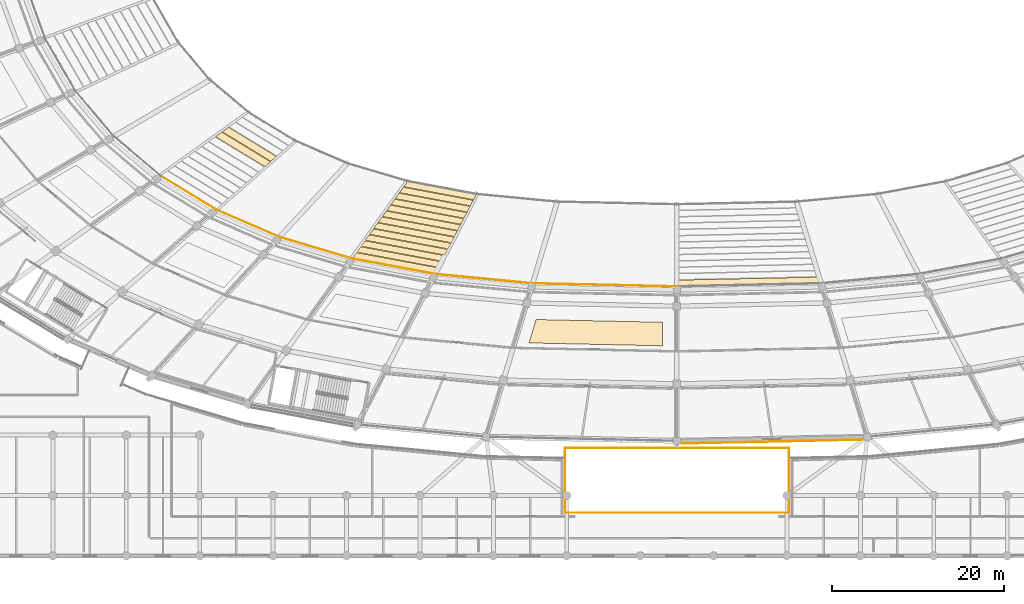
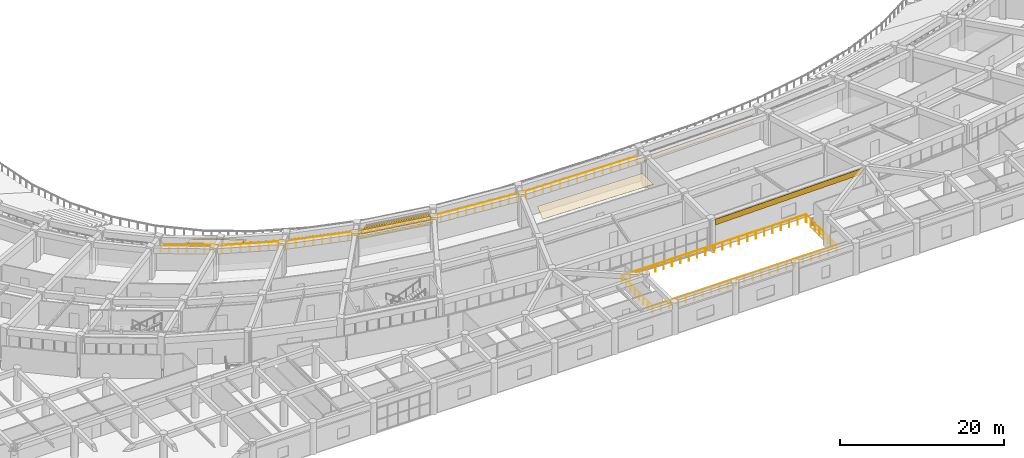
# One storey, part 126 of 152: 18 coverings, 3 railings.
"""IFC4 building model written with IfcOpenShell, lengths in metres."""

from ifc_helpers import new_model, si_unit, direction, frame, origin, origin_2d, place, context, subcontext, project, spatial, polyline, rectangle, circle, outline, extrude, material, layer, layer_set, type_object, element, save


model = new_model("IFC4")

# Units and contexts
model_context = context("Model", 3, precision=1e-05, world=origin(), true_north=direction((0.0, 1.0)))
body_context = subcontext(model_context, "Body", "Model", "MODEL_VIEW")
ifc_project = project(units=[si_unit("LENGTHUNIT", "METRE"), si_unit("AREAUNIT", "SQUARE_METRE"), si_unit("VOLUMEUNIT", "CUBIC_METRE"), si_unit("PLANEANGLEUNIT", "RADIAN"), si_unit("MASSUNIT", "GRAM", prefix="KILO")], contexts=[model_context])

# Site, building, storey
site_placement = place(None, origin())
site = spatial("IfcSite", under=ifc_project, at=site_placement, CompositionType="ELEMENT")
building_placement = place(site_placement, origin())
building = spatial("IfcBuilding", under=site, at=building_placement, Name="Mphavela Belvedere Stadium", CompositionType="ELEMENT")
storey_placement = place(building_placement, frame((0.0, 0.0, 5.39990234375)))
storey = spatial("IfcBuildingStorey", under=building, at=storey_placement, Name="L01", CompositionType="ELEMENT", Elevation=5.39990234375)

# Coverings
ifc_material_1 = material(Name="Perforated acoustic mineral ceiling tile")
ifc_layer_1 = layer(ifc_material_1, 0.0400390625)
ifc_layer_set_1 = layer_set([ifc_layer_1], Name="Perforated acoustic mineral ceiling tile")
covering_type_1 = type_object("IfcCoveringType", Name="COV-CEILING-ACOUSTIC", PredefinedType="CEILING", material=ifc_layer_set_1)
covering_1_placement = place(storey_placement, frame((0.0, 0.0, 3.5)))
element("IfcCovering", 1, at=covering_1_placement, inside=storey, type_object=covering_type_1, Name="Concourse acoustic ceiling L01-36", PredefinedType="CEILING", context=body_context, shape_type="SweptSolid", body=[
    extrude(outline(polyline([(98.665771484375, 27.42041015625), (113.343994140625, 27.1044921875), (113.343994140625, 24.368896484375), (97.844482421875, 24.70263671875), (98.665771484375, 27.42041015625)])), origin(), (0.0, 0.0, 1.0), 0.0400390625),
])
ifc_material_2 = material(Name="Carved classical limestone entablature frieze cladding", Category="masonry")
ifc_layer_2 = layer(ifc_material_2, 0.06005859375)
ifc_layer_set_2 = layer_set([ifc_layer_2], Name="Carved classical limestone entablature frieze cladding")
covering_type_2 = type_object("IfcCoveringType", Name="COV-FRIEZE-CLAD", PredefinedType="CLADDING", material=ifc_layer_set_2)
covering_2_placement = place(storey_placement, frame((126.064208984375, 13.248291015625, 3.594970703125), z_axis=(0.0, 0.0, 1.0), x_axis=(0.999769581002, 0.02146590093, 0.0)))
element("IfcCovering", 2, at=covering_2_placement, inside=storey, type_object=covering_type_2, Name="Classical entablature frieze cladding L01-37", PredefinedType="CLADDING", context=body_context, shape_type="SweptSolid", body=[
    extrude(rectangle(XDim=21.173583984375, YDim=0.06005859375, at=origin_2d()), origin(), (0.0, 0.0, 1.0), 0.85009765625),
])
ifc_material_3 = material(Name="Precast seating row terrazzo finish", Category="concrete")
ifc_layer_3 = layer(ifc_material_3, 0.1201171875)
ifc_layer_set_3 = layer_set([ifc_layer_3], Name="Precast seating row terrazzo finish")
covering_type_3 = type_object("IfcCoveringType", Name="COV-SEAT-ROW-L", PredefinedType="FLOORING", material=ifc_layer_set_3)
covering_3_placement = place(storey_placement, frame((0.0, 0.0, -2.373779296875)))
element("IfcCovering", 3, at=covering_3_placement, inside=storey, type_object=covering_type_3, Name="Lower stand seating row bench B31-R04", PredefinedType="FLOORING", context=body_context, shape_type="SweptSolid", body=[
    extrude(outline(polyline([(62.980224609375, 49.72802734375), (68.53955078125, 46.345947265625), (67.892822265625, 45.780029296875), (62.256103515625, 49.209228515625), (62.980224609375, 49.72802734375)])), origin(), (0.0, 0.0, 1.0), 0.1201171875),
])
covering_4_placement = place(storey_placement, frame((0.0, 0.0, -1.912109375)))
element("IfcCovering", 4, at=covering_4_placement, inside=storey, type_object=covering_type_3, Name="Lower stand seating row bench B31-R05", PredefinedType="FLOORING", context=body_context, shape_type="SweptSolid", body=[
    extrude(outline(polyline([(62.193359375, 49.164306640625), (67.836669921875, 45.73095703125), (67.190185546875, 45.1650390625), (61.46923828125, 48.6455078125), (62.193359375, 49.164306640625)])), origin(), (0.0, 0.0, 1.0), 0.119873046875),
])
covering_5_placement = place(storey_placement, frame((0.0, 0.0, -3.75830078125)))
element("IfcCovering", 5, at=covering_5_placement, inside=storey, type_object=covering_type_3, Name="Lower stand seating row bench B34-R01", PredefinedType="FLOORING", context=body_context, shape_type="SweptSolid", body=[
    extrude(outline(polyline([(83.7568359375, 43.46337890625), (91.741943359375, 41.97607421875), (91.40283203125, 41.319580078125), (83.30126953125, 42.82861328125), (83.7568359375, 43.46337890625)])), origin(), (0.0, 0.0, 1.0), 0.119873046875),
])
covering_6_placement = place(storey_placement, frame((0.0, 0.0, -3.296875)))
element("IfcCovering", 6, at=covering_6_placement, inside=storey, type_object=covering_type_3, Name="Lower stand seating row bench B34-R02", PredefinedType="FLOORING", context=body_context, shape_type="SweptSolid", body=[
    extrude(outline(polyline([(83.26171875, 42.773193359375), (91.37353515625, 41.2626953125), (91.034423828125, 40.606201171875), (82.80615234375, 42.138671875), (83.26171875, 42.773193359375)])), origin(), (0.0, 0.0, 1.0), 0.1201171875),
])
covering_7_placement = place(storey_placement, frame((0.0, 0.0, -2.835205078125)))
element("IfcCovering", 7, at=covering_7_placement, inside=storey, type_object=covering_type_3, Name="Lower stand seating row bench B34-R03", PredefinedType="FLOORING", context=body_context, shape_type="SweptSolid", body=[
    extrude(outline(polyline([(82.7666015625, 42.08349609375), (91.0048828125, 40.549072265625), (90.665771484375, 39.892578125), (82.31103515625, 41.448486328125), (82.7666015625, 42.08349609375)])), origin(), (0.0, 0.0, 1.0), 0.119873046875),
])
covering_8_placement = place(storey_placement, frame((0.0, 0.0, -2.373779296875)))
element("IfcCovering", 8, at=covering_8_placement, inside=storey, type_object=covering_type_3, Name="Lower stand seating row bench B34-R04", PredefinedType="FLOORING", context=body_context, shape_type="SweptSolid", body=[
    extrude(outline(polyline([(82.271484375, 41.3935546875), (90.63623046875, 39.835693359375), (90.297119140625, 39.17919921875), (81.81591796875, 40.7587890625), (82.271484375, 41.3935546875)])), origin(), (0.0, 0.0, 1.0), 0.1201171875),
])
covering_9_placement = place(storey_placement, frame((0.0, 0.0, -1.912109375)))
element("IfcCovering", 9, at=covering_9_placement, inside=storey, type_object=covering_type_3, Name="Lower stand seating row bench B34-R05", PredefinedType="FLOORING", context=body_context, shape_type="SweptSolid", body=[
    extrude(outline(polyline([(81.7763671875, 40.70361328125), (90.267578125, 39.1220703125), (89.9287109375, 38.465576171875), (81.32080078125, 40.06884765625), (81.7763671875, 40.70361328125)])), origin(), (0.0, 0.0, 1.0), 0.119873046875),
])
covering_10_placement = place(storey_placement, frame((0.0, 0.0, -1.45068359375)))
element("IfcCovering", 10, at=covering_10_placement, inside=storey, type_object=covering_type_3, Name="Lower stand seating row bench B34-R06", PredefinedType="FLOORING", context=body_context, shape_type="SweptSolid", body=[
    extrude(outline(polyline([(81.28125, 40.013671875), (89.899169921875, 38.408447265625), (89.56005859375, 37.752197265625), (80.82568359375, 39.37890625), (81.28125, 40.013671875)])), origin(), (0.0, 0.0, 1.0), 0.119873046875),
])
covering_11_placement = place(storey_placement, frame((0.0, 0.0, -0.989013671875)))
element("IfcCovering", 11, at=covering_11_placement, inside=storey, type_object=covering_type_3, Name="Lower stand seating row bench B34-R07", PredefinedType="FLOORING", context=body_context, shape_type="SweptSolid", body=[
    extrude(outline(polyline([(80.7861328125, 39.323486328125), (89.530517578125, 37.695068359375), (89.19140625, 37.03857421875), (80.33056640625, 38.68896484375), (80.7861328125, 39.323486328125)])), origin(), (0.0, 0.0, 1.0), 0.119873046875),
])
covering_12_placement = place(storey_placement, frame((0.0, 0.0, -0.527587890625)))
element("IfcCovering", 12, at=covering_12_placement, inside=storey, type_object=covering_type_3, Name="Lower stand seating row bench B34-R08", PredefinedType="FLOORING", context=body_context, shape_type="SweptSolid", body=[
    extrude(outline(polyline([(80.291015625, 38.6337890625), (89.162109375, 36.9814453125), (88.822998046875, 36.3251953125), (79.83544921875, 37.998779296875), (80.291015625, 38.6337890625)])), origin(), (0.0, 0.0, 1.0), 0.119873046875),
])
covering_13_placement = place(storey_placement, frame((0.0, 0.0, -0.066162109375)))
element("IfcCovering", 13, at=covering_13_placement, inside=storey, type_object=covering_type_3, Name="Lower stand seating row bench B34-R09", PredefinedType="FLOORING", context=body_context, shape_type="SweptSolid", body=[
    extrude(outline(polyline([(79.7958984375, 37.94384765625), (88.79345703125, 36.26806640625), (88.454345703125, 35.611572265625), (79.34033203125, 37.30908203125), (79.7958984375, 37.94384765625)])), origin(), (0.0, 0.0, 1.0), 0.1201171875),
])
covering_14_placement = place(storey_placement, frame((0.0, 0.0, 0.3955078125)))
element("IfcCovering", 14, at=covering_14_placement, inside=storey, type_object=covering_type_3, Name="Lower stand seating row bench B34-R10", PredefinedType="FLOORING", context=body_context, shape_type="SweptSolid", body=[
    extrude(outline(polyline([(79.30078125, 37.25390625), (88.4248046875, 35.554443359375), (88.085693359375, 34.898193359375), (78.84521484375, 36.619140625), (79.30078125, 37.25390625)])), origin(), (0.0, 0.0, 1.0), 0.119873046875),
])
covering_15_placement = place(storey_placement, frame((0.0, 0.0, 0.85693359375)))
element("IfcCovering", 15, at=covering_15_placement, inside=storey, type_object=covering_type_3, Name="Lower stand seating row bench B34-R11", PredefinedType="FLOORING", context=body_context, shape_type="SweptSolid", body=[
    extrude(outline(polyline([(78.8056640625, 36.56396484375), (88.056396484375, 34.841064453125), (87.71728515625, 34.1845703125), (78.35009765625, 35.92919921875), (78.8056640625, 36.56396484375)])), origin(), (0.0, 0.0, 1.0), 0.1201171875),
])
covering_16_placement = place(storey_placement, frame((0.0, 0.0, 1.318603515625)))
element("IfcCovering", 16, at=covering_16_placement, inside=storey, type_object=covering_type_3, Name="Lower stand seating row bench B34-R12", PredefinedType="FLOORING", context=body_context, shape_type="SweptSolid", body=[
    extrude(outline(polyline([(78.310546875, 35.873779296875), (87.687744140625, 34.12744140625), (87.3486328125, 33.47119140625), (77.85498046875, 35.2392578125), (78.310546875, 35.873779296875)])), origin(), (0.0, 0.0, 1.0), 0.119873046875),
])
covering_17_placement = place(storey_placement, frame((0.0, 0.0, 1.780029296875)))
element("IfcCovering", 17, at=covering_17_placement, inside=storey, type_object=covering_type_3, Name="Lower stand seating row bench B34-R13", PredefinedType="FLOORING", context=body_context, shape_type="SweptSolid", body=[
    extrude(outline(polyline([(77.8154296875, 35.18408203125), (87.319091796875, 33.4140625), (86.97998046875, 32.757568359375), (77.35986328125, 34.54931640625), (77.8154296875, 35.18408203125)])), origin(), (0.0, 0.0, 1.0), 0.1201171875),
])
covering_18_placement = place(storey_placement, frame((0.0, 0.0, 1.780029296875)))
element("IfcCovering", 18, at=covering_18_placement, inside=storey, type_object=covering_type_3, Name="Lower stand seating row bench B37-R13", PredefinedType="FLOORING", context=body_context, shape_type="SweptSolid", body=[
    extrude(outline(polyline([(115.0, 31.993408203125), (131.51220703125, 32.34912109375), (131.71435546875, 31.679443359375), (115.0, 31.319580078125), (115.0, 31.993408203125)])), origin(), (0.0, 0.0, 1.0), 0.1201171875),
])

# Railings
ifc_material_4 = material(Name="Bronze and laminated glass stadium balustrade", Category="glass")
railing_type = type_object("IfcRailingType", Name="RAL-BALUSTRADE-1120", PredefinedType="BALUSTRADE", material=ifc_material_4)
railing_1_placement = place(storey_placement, frame((102.0, 5.0, 0.0)))
element("IfcRailing", 19, at=railing_1_placement, inside=storey, type_object=railing_type, Name="South Axial Triumphal Peristyle Portico court balustrade L01-A", PredefinedType="BALUSTRADE", context=body_context, shape_type="SweptSolid", body=[
    extrude(circle(Radius=0.02392578125, at=origin_2d()), frame((0.0, 0.0, 1.09619140625), z_axis=(1.0, 0.0, 0.0), x_axis=(0.0, 1.0, 0.0)), (0.0, 0.0, 1.0), 26.0),
    extrude(circle(Radius=0.02392578125, at=origin_2d()), frame((26.0, 0.0, 1.09619140625), z_axis=(0.0, 1.0, 0.0), x_axis=(-1.0, 0.0, 0.0)), (0.0, 0.0, 1.0), 7.419921875),
    extrude(circle(Radius=0.02099609375, at=origin_2d()), origin(), (0.0, 0.0, 1.0), 1.072021484375),
    extrude(circle(Radius=0.02099609375, at=origin_2d()), frame((1.181884765625, 0.0, 0.0)), (0.0, 0.0, 1.0), 1.072021484375),
    extrude(circle(Radius=0.02099609375, at=origin_2d()), frame((2.363525390625, 0.0, 0.0)), (0.0, 0.0, 1.0), 1.072021484375),
    extrude(circle(Radius=0.02099609375, at=origin_2d()), frame((3.54541015625, 0.0, 0.0)), (0.0, 0.0, 1.0), 1.072021484375),
    extrude(circle(Radius=0.02099609375, at=origin_2d()), frame((4.727294921875, 0.0, 0.0)), (0.0, 0.0, 1.0), 1.072021484375),
    extrude(circle(Radius=0.02099609375, at=origin_2d()), frame((5.9091796875, 0.0, 0.0)), (0.0, 0.0, 1.0), 1.072021484375),
    extrude(circle(Radius=0.02099609375, at=origin_2d()), frame((7.0908203125, 0.0, 0.0)), (0.0, 0.0, 1.0), 1.072021484375),
    extrude(circle(Radius=0.02099609375, at=origin_2d()), frame((8.272705078125, 0.0, 0.0)), (0.0, 0.0, 1.0), 1.072021484375),
    extrude(circle(Radius=0.02099609375, at=origin_2d()), frame((9.45458984375, 0.0, 0.0)), (0.0, 0.0, 1.0), 1.072021484375),
    extrude(circle(Radius=0.02099609375, at=origin_2d()), frame((10.636474609375, 0.0, 0.0)), (0.0, 0.0, 1.0), 1.072021484375),
    extrude(circle(Radius=0.02099609375, at=origin_2d()), frame((11.818115234375, 0.0, 0.0)), (0.0, 0.0, 1.0), 1.072021484375),
    extrude(circle(Radius=0.02099609375, at=origin_2d()), frame((13.0, 0.0, 0.0)), (0.0, 0.0, 1.0), 1.072021484375),
    extrude(circle(Radius=0.02099609375, at=origin_2d()), frame((14.181884765625, 0.0, 0.0)), (0.0, 0.0, 1.0), 1.072021484375),
    extrude(circle(Radius=0.02099609375, at=origin_2d()), frame((15.363525390625, 0.0, 0.0)), (0.0, 0.0, 1.0), 1.072021484375),
    extrude(circle(Radius=0.02099609375, at=origin_2d()), frame((16.54541015625, 0.0, 0.0)), (0.0, 0.0, 1.0), 1.072021484375),
    extrude(circle(Radius=0.02099609375, at=origin_2d()), frame((17.727294921875, 0.0, 0.0)), (0.0, 0.0, 1.0), 1.072021484375),
    extrude(circle(Radius=0.02099609375, at=origin_2d()), frame((18.9091796875, 0.0, 0.0)), (0.0, 0.0, 1.0), 1.072021484375),
    extrude(circle(Radius=0.02099609375, at=origin_2d()), frame((20.0908203125, 0.0, 0.0)), (0.0, 0.0, 1.0), 1.072021484375),
    extrude(circle(Radius=0.02099609375, at=origin_2d()), frame((21.272705078125, 0.0, 0.0)), (0.0, 0.0, 1.0), 1.072021484375),
    extrude(circle(Radius=0.02099609375, at=origin_2d()), frame((22.45458984375, 0.0, 0.0)), (0.0, 0.0, 1.0), 1.072021484375),
    extrude(circle(Radius=0.02099609375, at=origin_2d()), frame((23.636474609375, 0.0, 0.0)), (0.0, 0.0, 1.0), 1.072021484375),
    extrude(circle(Radius=0.02099609375, at=origin_2d()), frame((24.818115234375, 0.0, 0.0)), (0.0, 0.0, 1.0), 1.072021484375),
    extrude(circle(Radius=0.02099609375, at=origin_2d()), frame((26.0, 0.0, 0.0)), (0.0, 0.0, 1.0), 1.072021484375),
    extrude(circle(Radius=0.02099609375, at=origin_2d()), frame((26.0, 1.06005859375, 0.0)), (0.0, 0.0, 1.0), 1.072021484375),
    extrude(circle(Radius=0.02099609375, at=origin_2d()), frame((26.0, 2.119873046875, 0.0)), (0.0, 0.0, 1.0), 1.072021484375),
    extrude(circle(Radius=0.02099609375, at=origin_2d()), frame((26.0, 3.179931640625, 0.0)), (0.0, 0.0, 1.0), 1.072021484375),
    extrude(circle(Radius=0.02099609375, at=origin_2d()), frame((26.0, 4.239990234375, 0.0)), (0.0, 0.0, 1.0), 1.072021484375),
    extrude(circle(Radius=0.02099609375, at=origin_2d()), frame((26.0, 5.300048828125, 0.0)), (0.0, 0.0, 1.0), 1.072021484375),
    extrude(circle(Radius=0.02099609375, at=origin_2d()), frame((26.0, 6.35986328125, 0.0)), (0.0, 0.0, 1.0), 1.072021484375),
    extrude(circle(Radius=0.02099609375, at=origin_2d()), frame((26.0, 7.419921875, 0.0)), (0.0, 0.0, 1.0), 1.072021484375),
])
railing_2_placement = place(storey_placement, frame((128.0, 12.5, 0.0)))
element("IfcRailing", 20, at=railing_2_placement, inside=storey, type_object=railing_type, Name="South Axial Triumphal Peristyle Portico court balustrade L01-B", PredefinedType="BALUSTRADE", context=body_context, shape_type="SweptSolid", body=[
    extrude(circle(Radius=0.02392578125, at=origin_2d()), frame((0.0, 0.0, 1.09619140625), z_axis=(-1.0, 0.0, 0.0), x_axis=(0.0, -1.0, 0.0)), (0.0, 0.0, 1.0), 26.0),
    extrude(circle(Radius=0.02392578125, at=origin_2d()), frame((-26.0, 0.0, 1.09619140625), z_axis=(0.0, -1.0, 0.0), x_axis=(1.0, 0.0, 0.0)), (0.0, 0.0, 1.0), 7.419921875),
    extrude(circle(Radius=0.02099609375, at=origin_2d()), origin(), (0.0, 0.0, 1.0), 1.072021484375),
    extrude(circle(Radius=0.02099609375, at=origin_2d()), frame((-1.181884765625, 0.0, 0.0)), (0.0, 0.0, 1.0), 1.072021484375),
    extrude(circle(Radius=0.02099609375, at=origin_2d()), frame((-2.363525390625, 0.0, 0.0)), (0.0, 0.0, 1.0), 1.072021484375),
    extrude(circle(Radius=0.02099609375, at=origin_2d()), frame((-3.54541015625, 0.0, 0.0)), (0.0, 0.0, 1.0), 1.072021484375),
    extrude(circle(Radius=0.02099609375, at=origin_2d()), frame((-4.727294921875, 0.0, 0.0)), (0.0, 0.0, 1.0), 1.072021484375),
    extrude(circle(Radius=0.02099609375, at=origin_2d()), frame((-5.9091796875, 0.0, 0.0)), (0.0, 0.0, 1.0), 1.072021484375),
    extrude(circle(Radius=0.02099609375, at=origin_2d()), frame((-7.0908203125, 0.0, 0.0)), (0.0, 0.0, 1.0), 1.072021484375),
    extrude(circle(Radius=0.02099609375, at=origin_2d()), frame((-8.272705078125, 0.0, 0.0)), (0.0, 0.0, 1.0), 1.072021484375),
    extrude(circle(Radius=0.02099609375, at=origin_2d()), frame((-9.45458984375, 0.0, 0.0)), (0.0, 0.0, 1.0), 1.072021484375),
    extrude(circle(Radius=0.02099609375, at=origin_2d()), frame((-10.636474609375, 0.0, 0.0)), (0.0, 0.0, 1.0), 1.072021484375),
    extrude(circle(Radius=0.02099609375, at=origin_2d()), frame((-11.818115234375, 0.0, 0.0)), (0.0, 0.0, 1.0), 1.072021484375),
    extrude(circle(Radius=0.02099609375, at=origin_2d()), frame((-13.0, 0.0, 0.0)), (0.0, 0.0, 1.0), 1.072021484375),
    extrude(circle(Radius=0.02099609375, at=origin_2d()), frame((-14.181884765625, 0.0, 0.0)), (0.0, 0.0, 1.0), 1.072021484375),
    extrude(circle(Radius=0.02099609375, at=origin_2d()), frame((-15.363525390625, 0.0, 0.0)), (0.0, 0.0, 1.0), 1.072021484375),
    extrude(circle(Radius=0.02099609375, at=origin_2d()), frame((-16.54541015625, 0.0, 0.0)), (0.0, 0.0, 1.0), 1.072021484375),
    extrude(circle(Radius=0.02099609375, at=origin_2d()), frame((-17.727294921875, 0.0, 0.0)), (0.0, 0.0, 1.0), 1.072021484375),
    extrude(circle(Radius=0.02099609375, at=origin_2d()), frame((-18.9091796875, 0.0, 0.0)), (0.0, 0.0, 1.0), 1.072021484375),
    extrude(circle(Radius=0.02099609375, at=origin_2d()), frame((-20.0908203125, 0.0, 0.0)), (0.0, 0.0, 1.0), 1.072021484375),
    extrude(circle(Radius=0.02099609375, at=origin_2d()), frame((-21.272705078125, 0.0, 0.0)), (0.0, 0.0, 1.0), 1.072021484375),
    extrude(circle(Radius=0.02099609375, at=origin_2d()), frame((-22.45458984375, 0.0, 0.0)), (0.0, 0.0, 1.0), 1.072021484375),
    extrude(circle(Radius=0.02099609375, at=origin_2d()), frame((-23.636474609375, 0.0, 0.0)), (0.0, 0.0, 1.0), 1.072021484375),
    extrude(circle(Radius=0.02099609375, at=origin_2d()), frame((-24.818115234375, 0.0, 0.0)), (0.0, 0.0, 1.0), 1.072021484375),
    extrude(circle(Radius=0.02099609375, at=origin_2d()), frame((-26.0, 0.0, 0.0)), (0.0, 0.0, 1.0), 1.072021484375),
    extrude(circle(Radius=0.02099609375, at=origin_2d()), frame((-26.0, -1.06005859375, 0.0)), (0.0, 0.0, 1.0), 1.072021484375),
    extrude(circle(Radius=0.02099609375, at=origin_2d()), frame((-26.0, -2.119873046875, 0.0)), (0.0, 0.0, 1.0), 1.072021484375),
    extrude(circle(Radius=0.02099609375, at=origin_2d()), frame((-26.0, -3.179931640625, 0.0)), (0.0, 0.0, 1.0), 1.072021484375),
    extrude(circle(Radius=0.02099609375, at=origin_2d()), frame((-26.0, -4.239990234375, 0.0)), (0.0, 0.0, 1.0), 1.072021484375),
    extrude(circle(Radius=0.02099609375, at=origin_2d()), frame((-26.0, -5.300048828125, 0.0)), (0.0, 0.0, 1.0), 1.072021484375),
    extrude(circle(Radius=0.02099609375, at=origin_2d()), frame((-26.0, -6.35986328125, 0.0)), (0.0, 0.0, 1.0), 1.072021484375),
    extrude(circle(Radius=0.02099609375, at=origin_2d()), frame((-26.0, -7.419921875, 0.0)), (0.0, 0.0, 1.0), 1.072021484375),
])
railing_3_placement = place(storey_placement, frame((55.110595703125, 44.089599609375, 1.900146484375)))
element("IfcRailing", 21, at=railing_3_placement, inside=storey, type_object=railing_type, Name="Bowl safety balustrade t1_rear S6", PredefinedType="BALUSTRADE", context=body_context, shape_type="SweptSolid", body=[
    extrude(circle(Radius=0.02392578125, at=origin_2d()), frame((0.0, 0.0, 1.09619140625), z_axis=(0.854322499928, -0.519743269429, 0.0), x_axis=(0.519743269429, 0.854322499928, 0.0)), (0.0, 0.0, 1.0), 7.49169921875),
    extrude(circle(Radius=0.02392578125, at=origin_2d()), frame((6.400390625, -3.893798828125, 1.09619140625), z_axis=(0.917498798541, -0.397738550654, 0.0), x_axis=(0.397738550654, 0.917498798541, 0.0)), (0.0, 0.0, 1.0), 8.047119140625),
    extrude(circle(Radius=0.02392578125, at=origin_2d()), frame((13.78369140625, -7.094482421875, 1.09619140625), z_axis=(0.958662376763, -0.284546037364, 0.0), x_axis=(0.284546037364, 0.958662376763, 0.0)), (0.0, 0.0, 1.0), 8.789306640625),
    extrude(circle(Radius=0.02392578125, at=origin_2d()), frame((22.209716796875, -9.595458984375, 1.09619140625), z_axis=(0.983092402982, -0.183110150455, 0.0), x_axis=(0.183110150455, 0.983092402982, 0.0)), (0.0, 0.0, 1.0), 9.795654296875),
    extrude(circle(Radius=0.02392578125, at=origin_2d()), frame((31.83984375, -11.38916015625, 1.09619140625), z_axis=(0.995485236334, -0.094916511953, 0.0), x_axis=(0.094916511953, 0.995485236334, 0.0)), (0.0, 0.0, 1.0), 11.368896484375),
    extrude(circle(Radius=0.02392578125, at=origin_2d()), frame((43.157470703125, -12.46826171875, 1.09619140625), z_axis=(0.999768164728, -0.021531762499, 0.0), x_axis=(0.021531762499, 0.999768164728, 0.0)), (0.0, 0.0, 1.0), 16.73583984375),
    extrude(circle(Radius=0.02099609375, at=origin_2d()), origin(), (0.0, 0.0, 1.0), 1.072021484375),
    extrude(circle(Radius=0.02099609375, at=origin_2d()), frame((0.914306640625, -0.55615234375, 0.0)), (0.0, 0.0, 1.0), 1.072021484375),
    extrude(circle(Radius=0.02099609375, at=origin_2d()), frame((1.82861328125, -1.112548828125, 0.0)), (0.0, 0.0, 1.0), 1.072021484375),
    extrude(circle(Radius=0.02099609375, at=origin_2d()), frame((2.742919921875, -1.668701171875, 0.0)), (0.0, 0.0, 1.0), 1.072021484375),
    extrude(circle(Radius=0.02099609375, at=origin_2d()), frame((3.657470703125, -2.22509765625, 0.0)), (0.0, 0.0, 1.0), 1.072021484375),
    extrude(circle(Radius=0.02099609375, at=origin_2d()), frame((4.57177734375, -2.78125, 0.0)), (0.0, 0.0, 1.0), 1.072021484375),
    extrude(circle(Radius=0.02099609375, at=origin_2d()), frame((5.486083984375, -3.337646484375, 0.0)), (0.0, 0.0, 1.0), 1.072021484375),
    extrude(circle(Radius=0.02099609375, at=origin_2d()), frame((6.400390625, -3.893798828125, 0.0)), (0.0, 0.0, 1.0), 1.072021484375),
    extrude(circle(Radius=0.02099609375, at=origin_2d()), frame((7.455078125, -4.35107421875, 0.0)), (0.0, 0.0, 1.0), 1.072021484375),
    extrude(circle(Radius=0.02099609375, at=origin_2d()), frame((8.510009765625, -4.808349609375, 0.0)), (0.0, 0.0, 1.0), 1.072021484375),
    extrude(circle(Radius=0.02099609375, at=origin_2d()), frame((9.564697265625, -5.265625, 0.0)), (0.0, 0.0, 1.0), 1.072021484375),
    extrude(circle(Radius=0.02099609375, at=origin_2d()), frame((10.619384765625, -5.72265625, 0.0)), (0.0, 0.0, 1.0), 1.072021484375),
    extrude(circle(Radius=0.02099609375, at=origin_2d()), frame((11.674072265625, -6.179931640625, 0.0)), (0.0, 0.0, 1.0), 1.072021484375),
    extrude(circle(Radius=0.02099609375, at=origin_2d()), frame((12.72900390625, -6.63720703125, 0.0)), (0.0, 0.0, 1.0), 1.072021484375),
    extrude(circle(Radius=0.02099609375, at=origin_2d()), frame((13.78369140625, -7.094482421875, 0.0)), (0.0, 0.0, 1.0), 1.072021484375),
    extrude(circle(Radius=0.02099609375, at=origin_2d()), frame((14.8369140625, -7.4072265625, 0.0)), (0.0, 0.0, 1.0), 1.072021484375),
    extrude(circle(Radius=0.02099609375, at=origin_2d()), frame((15.89013671875, -7.7197265625, 0.0)), (0.0, 0.0, 1.0), 1.072021484375),
    extrude(circle(Radius=0.02099609375, at=origin_2d()), frame((16.943359375, -8.0322265625, 0.0)), (0.0, 0.0, 1.0), 1.072021484375),
    extrude(circle(Radius=0.02099609375, at=origin_2d()), frame((17.99658203125, -8.344970703125, 0.0)), (0.0, 0.0, 1.0), 1.072021484375),
    extrude(circle(Radius=0.02099609375, at=origin_2d()), frame((19.050048828125, -8.65771484375, 0.0)), (0.0, 0.0, 1.0), 1.072021484375),
    extrude(circle(Radius=0.02099609375, at=origin_2d()), frame((20.103271484375, -8.97021484375, 0.0)), (0.0, 0.0, 1.0), 1.072021484375),
    extrude(circle(Radius=0.02099609375, at=origin_2d()), frame((21.156494140625, -9.28271484375, 0.0)), (0.0, 0.0, 1.0), 1.072021484375),
    extrude(circle(Radius=0.02099609375, at=origin_2d()), frame((22.209716796875, -9.595458984375, 0.0)), (0.0, 0.0, 1.0), 1.072021484375),
    extrude(circle(Radius=0.02099609375, at=origin_2d()), frame((23.27978515625, -9.794677734375, 0.0)), (0.0, 0.0, 1.0), 1.072021484375),
    extrude(circle(Radius=0.02099609375, at=origin_2d()), frame((24.349853515625, -9.994140625, 0.0)), (0.0, 0.0, 1.0), 1.072021484375),
    extrude(circle(Radius=0.02099609375, at=origin_2d()), frame((25.419677734375, -10.193359375, 0.0)), (0.0, 0.0, 1.0), 1.072021484375),
    extrude(circle(Radius=0.02099609375, at=origin_2d()), frame((26.48974609375, -10.392578125, 0.0)), (0.0, 0.0, 1.0), 1.072021484375),
    extrude(circle(Radius=0.02099609375, at=origin_2d()), frame((27.559814453125, -10.592041015625, 0.0)), (0.0, 0.0, 1.0), 1.072021484375),
    extrude(circle(Radius=0.02099609375, at=origin_2d()), frame((28.6298828125, -10.791259765625, 0.0)), (0.0, 0.0, 1.0), 1.072021484375),
    extrude(circle(Radius=0.02099609375, at=origin_2d()), frame((29.69970703125, -10.990478515625, 0.0)), (0.0, 0.0, 1.0), 1.072021484375),
    extrude(circle(Radius=0.02099609375, at=origin_2d()), frame((30.769775390625, -11.18994140625, 0.0)), (0.0, 0.0, 1.0), 1.072021484375),
    extrude(circle(Radius=0.02099609375, at=origin_2d()), frame((31.83984375, -11.38916015625, 0.0)), (0.0, 0.0, 1.0), 1.072021484375),
    extrude(circle(Radius=0.02099609375, at=origin_2d()), frame((32.9716796875, -11.4970703125, 0.0)), (0.0, 0.0, 1.0), 1.072021484375),
    extrude(circle(Radius=0.02099609375, at=origin_2d()), frame((34.103271484375, -11.60498046875, 0.0)), (0.0, 0.0, 1.0), 1.072021484375),
    extrude(circle(Radius=0.02099609375, at=origin_2d()), frame((35.235107421875, -11.712890625, 0.0)), (0.0, 0.0, 1.0), 1.072021484375),
    extrude(circle(Radius=0.02099609375, at=origin_2d()), frame((36.366943359375, -11.82080078125, 0.0)), (0.0, 0.0, 1.0), 1.072021484375),
    extrude(circle(Radius=0.02099609375, at=origin_2d()), frame((37.49853515625, -11.9287109375, 0.0)), (0.0, 0.0, 1.0), 1.072021484375),
    extrude(circle(Radius=0.02099609375, at=origin_2d()), frame((38.63037109375, -12.03662109375, 0.0)), (0.0, 0.0, 1.0), 1.072021484375),
    extrude(circle(Radius=0.02099609375, at=origin_2d()), frame((39.76220703125, -12.14453125, 0.0)), (0.0, 0.0, 1.0), 1.072021484375),
    extrude(circle(Radius=0.02099609375, at=origin_2d()), frame((40.89404296875, -12.25244140625, 0.0)), (0.0, 0.0, 1.0), 1.072021484375),
    extrude(circle(Radius=0.02099609375, at=origin_2d()), frame((42.025634765625, -12.3603515625, 0.0)), (0.0, 0.0, 1.0), 1.072021484375),
    extrude(circle(Radius=0.02099609375, at=origin_2d()), frame((43.157470703125, -12.46826171875, 0.0)), (0.0, 0.0, 1.0), 1.072021484375),
    extrude(circle(Radius=0.02099609375, at=origin_2d()), frame((44.3525390625, -12.493896484375, 0.0)), (0.0, 0.0, 1.0), 1.072021484375),
    extrude(circle(Radius=0.02099609375, at=origin_2d()), frame((45.5478515625, -12.519775390625, 0.0)), (0.0, 0.0, 1.0), 1.072021484375),
    extrude(circle(Radius=0.02099609375, at=origin_2d()), frame((46.742919921875, -12.54541015625, 0.0)), (0.0, 0.0, 1.0), 1.072021484375),
    extrude(circle(Radius=0.02099609375, at=origin_2d()), frame((47.93798828125, -12.5712890625, 0.0)), (0.0, 0.0, 1.0), 1.072021484375),
    extrude(circle(Radius=0.02099609375, at=origin_2d()), frame((49.133056640625, -12.596923828125, 0.0)), (0.0, 0.0, 1.0), 1.072021484375),
    extrude(circle(Radius=0.02099609375, at=origin_2d()), frame((50.328369140625, -12.622802734375, 0.0)), (0.0, 0.0, 1.0), 1.072021484375),
    extrude(circle(Radius=0.02099609375, at=origin_2d()), frame((51.5234375, -12.6484375, 0.0)), (0.0, 0.0, 1.0), 1.072021484375),
    extrude(circle(Radius=0.02099609375, at=origin_2d()), frame((52.718505859375, -12.674072265625, 0.0)), (0.0, 0.0, 1.0), 1.072021484375),
    extrude(circle(Radius=0.02099609375, at=origin_2d()), frame((53.913818359375, -12.699951171875, 0.0)), (0.0, 0.0, 1.0), 1.072021484375),
    extrude(circle(Radius=0.02099609375, at=origin_2d()), frame((55.10888671875, -12.7255859375, 0.0)), (0.0, 0.0, 1.0), 1.072021484375),
    extrude(circle(Radius=0.02099609375, at=origin_2d()), frame((56.303955078125, -12.75146484375, 0.0)), (0.0, 0.0, 1.0), 1.072021484375),
    extrude(circle(Radius=0.02099609375, at=origin_2d()), frame((57.4990234375, -12.777099609375, 0.0)), (0.0, 0.0, 1.0), 1.072021484375),
    extrude(circle(Radius=0.02099609375, at=origin_2d()), frame((58.6943359375, -12.802978515625, 0.0)), (0.0, 0.0, 1.0), 1.072021484375),
    extrude(circle(Radius=0.02099609375, at=origin_2d()), frame((59.889404296875, -12.82861328125, 0.0)), (0.0, 0.0, 1.0), 1.072021484375),
])

save(model, "model.ifc")
